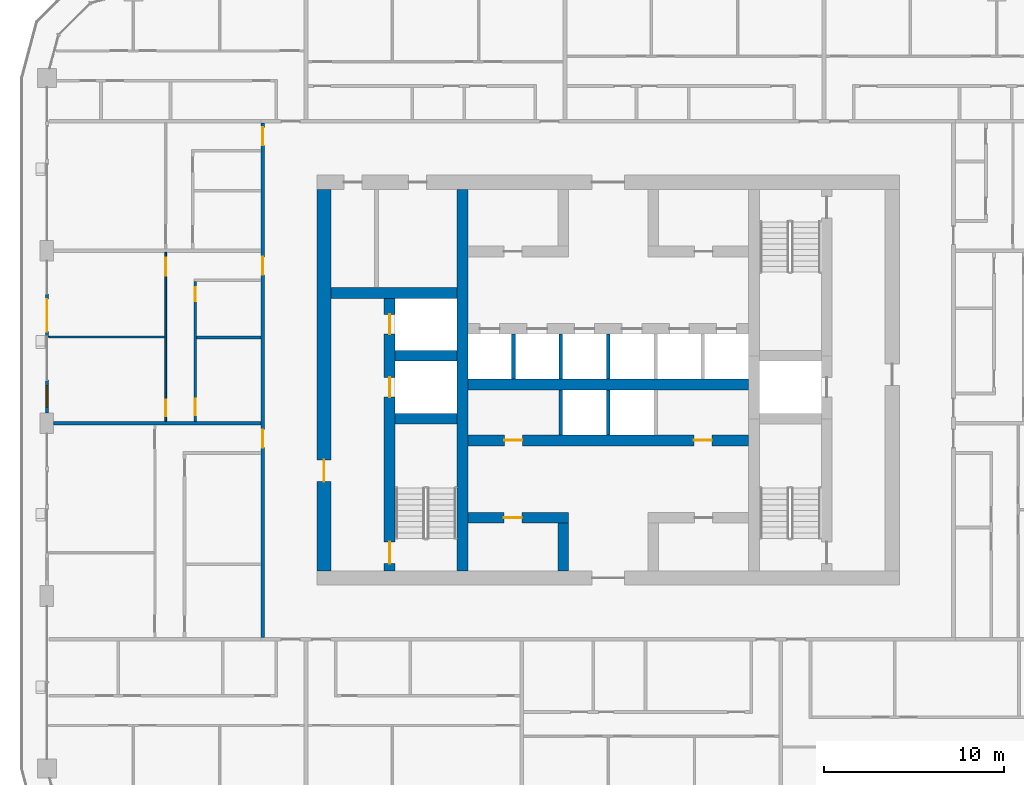
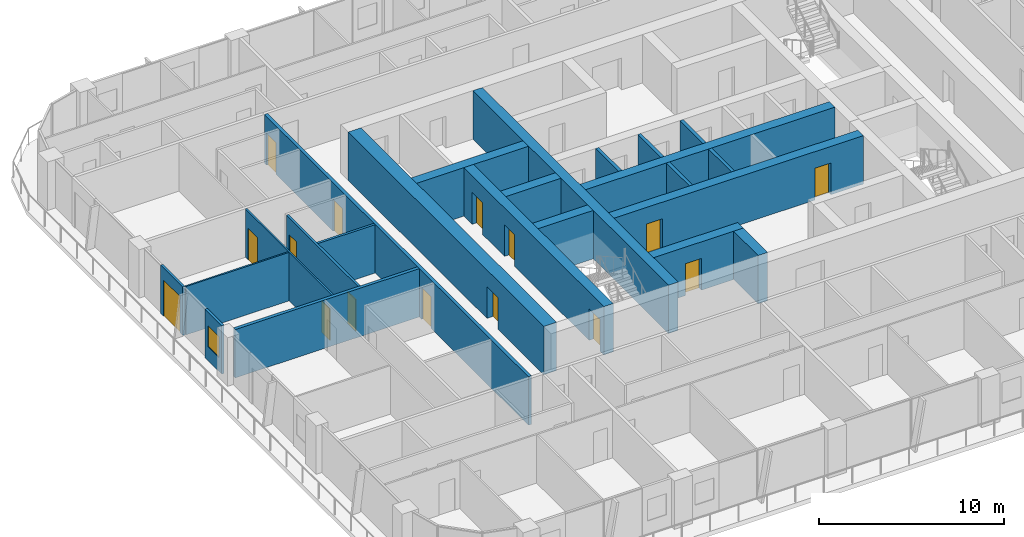
# One storey, part 10 of 22: 23 walls, 15 doors, 1 window, 16 openings.
"""IFC4 building model written with IfcOpenShell, lengths in metres."""

from ifc_helpers import new_model, si_unit, direction, frame, frame_2d, origin, place, context, subcontext, project, spatial, rectangle, extrude, material, layer, layer_set, type_object, element, fill, save


model = new_model("IFC4")

# Units and contexts
model_context = context("Model", 3, precision=1e-05, world=origin(), true_north=direction((0.0, 1.0)))
body_context = subcontext(model_context, "Body", "Model", "MODEL_VIEW")
ifc_project = project(units=[si_unit("LENGTHUNIT", "METRE"), si_unit("AREAUNIT", "SQUARE_METRE"), si_unit("VOLUMEUNIT", "CUBIC_METRE"), si_unit("PLANEANGLEUNIT", "RADIAN"), si_unit("MASSUNIT", "GRAM", prefix="KILO")], contexts=[model_context])

# Site, building, storey
site_placement = place(None, origin())
site = spatial("IfcSite", under=ifc_project, at=site_placement, CompositionType="ELEMENT")
building_placement = place(site_placement, origin())
building = spatial("IfcBuilding", under=site, at=building_placement, Name="Madar Terraces", CompositionType="ELEMENT")
storey_placement = place(building_placement, frame((0.0, 0.0, 152.5)))
storey = spatial("IfcBuildingStorey", under=building, at=storey_placement, Name="L39", CompositionType="ELEMENT", Elevation=152.5)

# Wall, openings, doors
ifc_material_1 = material(Name="Concrete C70/85", Category="concrete")
ifc_layer_1 = layer(ifc_material_1, 0.60009765625)
ifc_layer_set_1 = layer_set([ifc_layer_1], Name="Concrete C70/85 (CIW3 RC wall 600)")
wall_type_1 = type_object("IfcWallType", Name="CIW3 RC wall 600", PredefinedType="SHEAR", material=ifc_layer_set_1)
wall_1_placement = place(storey_placement, frame((19.050048828125, 15.800048828125, 0.0), z_axis=(0.0, 0.0, 1.0), x_axis=(0.0, 1.0, 0.0)))
wall_1 = element("IfcWall", 1, at=wall_1_placement, inside=storey, type_object=wall_type_1, Name="CORE SHAFT WALL", PredefinedType="SHEAR", context=body_context, shape_type="SweptSolid", body=[
    extrude(rectangle(XDim=15.14990234375, YDim=0.60009765625, at=frame_2d((7.574951171875, 0.0))), origin(), (0.0, 0.0, 1.0), 3.199951171875),
])
opening_1_placement = place(wall_1_placement, frame((9.64990234375, 0.0, 0.0)))
opening_1 = element("IfcOpeningElement", 2, at=opening_1_placement, cuts=wall_1, Name="Opening LD", PredefinedType="OPENING", context=body_context, shape_type="SweptSolid", body=[
    extrude(rectangle(XDim=1.10009765625, YDim=2.10009765625, at=frame_2d((0.550048828125, 1.050048828125))), frame((0.0, 0.31005859375, 0.0), z_axis=(0.0, -1.0, 0.0), x_axis=(1.0, 0.0, 0.0)), (0.0, 0.0, 1.0), 0.6201171875),
])
opening_2_placement = place(wall_1_placement, frame((13.14990234375, 0.0, 0.0)))
opening_2 = element("IfcOpeningElement", 3, at=opening_2_placement, cuts=wall_1, Name="Opening LD", PredefinedType="OPENING", context=body_context, shape_type="SweptSolid", body=[
    extrude(rectangle(XDim=1.10009765625, YDim=2.10009765625, at=frame_2d((0.550048828125, 1.050048828125))), frame((0.0, 0.31005859375, 0.0), z_axis=(0.0, -1.0, 0.0), x_axis=(1.0, 0.0, 0.0)), (0.0, 0.0, 1.0), 0.6201171875),
])
opening_3_placement = place(wall_1_placement, frame((0.39990234375, 0.0, 0.0)))
opening_3 = element("IfcOpeningElement", 4, at=opening_3_placement, cuts=wall_1, Name="Opening SD1", PredefinedType="OPENING", context=body_context, shape_type="SweptSolid", body=[
    extrude(rectangle(XDim=1.199951171875, YDim=2.10009765625, at=frame_2d((0.60009765625, 1.050048828125))), frame((0.0, 0.31005859375, 0.0), z_axis=(0.0, -1.0, 0.0), x_axis=(1.0, 0.0, 0.0)), (0.0, 0.0, 1.0), 0.6201171875),
])
ifc_material_2 = material(Name="Stainless steel panel", Category="steel")
door_type_1 = type_object("IfcDoorType", Name="Lift landing door 1100 x 2100", OperationType="DOUBLE_DOOR_SLIDING", PredefinedType="DOOR", material=ifc_material_2)
door_1_placement = place(opening_1_placement, origin())
door_1 = element("IfcDoor", 5, at=door_1_placement, inside=storey, type_object=door_type_1, Name="LIFT LANDING DOOR", OperationType="DOUBLE_DOOR_SLIDING", OverallHeight=2.10009765625, OverallWidth=1.10009765625, PredefinedType="DOOR", context=body_context, shape_type="SweptSolid", body=[
    extrude(rectangle(XDim=1.10009765625, YDim=2.10009765625, at=frame_2d((0.550048828125, 1.050048828125))), frame((0.0, 0.02490234375, 0.0), z_axis=(0.0, -1.0, 0.0), x_axis=(1.0, 0.0, 0.0)), (0.0, 0.0, 1.0), 0.050048828125),
])
fill(opening_1, door_1)
door_2_placement = place(opening_2_placement, origin())
door_2 = element("IfcDoor", 6, at=door_2_placement, inside=storey, type_object=door_type_1, Name="LIFT LANDING DOOR", OperationType="DOUBLE_DOOR_SLIDING", OverallHeight=2.10009765625, OverallWidth=1.10009765625, PredefinedType="DOOR", context=body_context, shape_type="SweptSolid", body=[
    extrude(rectangle(XDim=1.10009765625, YDim=2.10009765625, at=frame_2d((0.550048828125, 1.050048828125))), frame((0.0, 0.02490234375, 0.0), z_axis=(0.0, -1.0, 0.0), x_axis=(1.0, 0.0, 0.0)), (0.0, 0.0, 1.0), 0.050048828125),
])
fill(opening_2, door_2)
ifc_material_3 = material(Name="Steel door leaf", Category="steel")
door_type_2 = type_object("IfcDoorType", Name="Stair door 1200 x 2100", OperationType="NOTDEFINED", PredefinedType="DOOR", material=ifc_material_3)
door_3_placement = place(opening_3_placement, frame((1.199951171875, 0.0, 0.0), z_axis=(0.0, 0.0, 1.0), x_axis=(-1.0, 0.0, 0.0)))
door_3 = element("IfcDoor", 7, at=door_3_placement, inside=storey, type_object=door_type_2, Name="STAIR DOOR", OperationType="SINGLE_SWING_LEFT", OverallHeight=2.10009765625, OverallWidth=1.199951171875, PredefinedType="DOOR", context=body_context, shape_type="SweptSolid", body=[
    extrude(rectangle(XDim=1.199951171875, YDim=2.10009765625, at=frame_2d((0.60009765625, 1.050048828125))), frame((0.0, 0.02490234375, 0.0), z_axis=(0.0, -1.0, 0.0), x_axis=(1.0, 0.0, 0.0)), (0.0, 0.0, 1.0), 0.050048828125),
])
fill(opening_3, door_3)

# Walls
wall_2_placement = place(storey_placement, frame((23.10009765625, 15.800048828125, 0.0), z_axis=(0.0, 0.0, 1.0), x_axis=(0.0, 1.0, 0.0)))
element("IfcWall", 8, at=wall_2_placement, inside=storey, type_object=wall_type_1, Name="CORE SHAFT WALL", PredefinedType="SHEAR", context=body_context, shape_type="SweptSolid", body=[
    extrude(rectangle(XDim=21.199951171875, YDim=0.60009765625, at=frame_2d((10.60009765625, 0.0))), origin(), (0.0, 0.0, 1.0), 3.199951171875),
])
for number, where, z_axis, x_axis, name in (
    (9, (19.35009765625, 24.25, 0.0), (0.0, 0.0, 1.0), (1.0, 0.0, 0.0), "CORE SHAFT WALL"),
    (10, (19.35009765625, 27.75, 0.0), (0.0, 0.0, 1.0), (1.0, 0.0, 0.0), "CORE SHAFT WALL"),
):
    element("IfcWall", number, at=place(storey_placement, frame(where, z_axis=z_axis, x_axis=x_axis)), inside=storey, type_object=wall_type_1, Name=name, PredefinedType="SHEAR", context=body_context, shape_type="SweptSolid", body=[
        extrude(rectangle(XDim=3.449951171875, YDim=0.60009765625, at=frame_2d((1.72509765625, 0.0))), origin(), (0.0, 0.0, 1.0), 3.199951171875),
    ])
wall_3_placement = place(storey_placement, frame((15.800048828125, 31.25, 0.0), z_axis=(0.0, 0.0, 1.0), x_axis=(1.0, 0.0, 0.0)))
element("IfcWall", 11, at=wall_3_placement, inside=storey, type_object=wall_type_1, Name="CORE SHAFT WALL", PredefinedType="SHEAR", context=body_context, shape_type="SweptSolid", body=[
    extrude(rectangle(XDim=7.0, YDim=0.60009765625, at=frame_2d((3.5, 0.0))), origin(), (0.0, 0.0, 1.0), 3.199951171875),
])

# Wall, opening, door
wall_4_placement = place(storey_placement, frame((23.39990234375, 18.75, 0.0), z_axis=(0.0, 0.0, 1.0), x_axis=(1.0, 0.0, 0.0)))
wall_4 = element("IfcWall", 12, at=wall_4_placement, inside=storey, type_object=wall_type_1, Name="CORE SHAFT WALL", PredefinedType="SHEAR", context=body_context, shape_type="SweptSolid", body=[
    extrude(rectangle(XDim=5.60009765625, YDim=0.60009765625, at=frame_2d((2.800048828125, 0.0))), origin(), (0.0, 0.0, 1.0), 3.199951171875),
])
opening_4_placement = place(wall_4_placement, frame((2.0, 0.0, 0.0)))
opening_4 = element("IfcOpeningElement", 13, at=opening_4_placement, cuts=wall_4, Name="Opening KD2", PredefinedType="OPENING", context=body_context, shape_type="SweptSolid", body=[
    extrude(rectangle(XDim=1.0, YDim=2.10009765625, at=frame_2d((0.5, 1.050048828125))), frame((0.0, 0.31005859375, 0.0), z_axis=(0.0, -1.0, 0.0), x_axis=(1.0, 0.0, 0.0)), (0.0, 0.0, 1.0), 0.6201171875),
])
ifc_material_4 = material(Name="Steel door leaf", Category="steel")
door_type_3 = type_object("IfcDoorType", Name="Service room door 1000 x 2100", OperationType="NOTDEFINED", PredefinedType="DOOR", material=ifc_material_4)
door_4_placement = place(opening_4_placement, origin())
door_4 = element("IfcDoor", 14, at=door_4_placement, inside=storey, type_object=door_type_3, Name="SERVICE ROOM DOOR", OperationType="SINGLE_SWING_RIGHT", OverallHeight=2.10009765625, OverallWidth=1.0, PredefinedType="DOOR", context=body_context, shape_type="SweptSolid", body=[
    extrude(rectangle(XDim=1.0, YDim=2.10009765625, at=frame_2d((0.5, 1.050048828125))), frame((0.0, 0.02490234375, 0.0), z_axis=(0.0, -1.0, 0.0), x_axis=(1.0, 0.0, 0.0)), (0.0, 0.0, 1.0), 0.050048828125),
])
fill(opening_4, door_4)

# Wall, openings, doors
wall_5_placement = place(storey_placement, frame((23.39990234375, 23.050048828125, 0.0), z_axis=(0.0, 0.0, 1.0), x_axis=(1.0, 0.0, 0.0)))
wall_5 = element("IfcWall", 15, at=wall_5_placement, inside=storey, type_object=wall_type_1, Name="CORE SHAFT WALL", PredefinedType="SHEAR", context=body_context, shape_type="SweptSolid", body=[
    extrude(rectangle(XDim=15.60009765625, YDim=0.60009765625, at=frame_2d((7.800048828125, 0.0))), origin(), (0.0, 0.0, 1.0), 3.199951171875),
])
opening_5_placement = place(wall_5_placement, frame((2.033447265625, 0.0, 0.0)))
opening_5 = element("IfcOpeningElement", 16, at=opening_5_placement, cuts=wall_5, Name="Opening KD2", PredefinedType="OPENING", context=body_context, shape_type="SweptSolid", body=[
    extrude(rectangle(XDim=1.0, YDim=2.10009765625, at=frame_2d((0.5, 1.050048828125))), frame((0.0, 0.31005859375, 0.0), z_axis=(0.0, -1.0, 0.0), x_axis=(1.0, 0.0, 0.0)), (0.0, 0.0, 1.0), 0.6201171875),
])
opening_6_placement = place(wall_5_placement, frame((12.566650390625, 0.0, 0.0)))
opening_6 = element("IfcOpeningElement", 17, at=opening_6_placement, cuts=wall_5, Name="Opening KD2", PredefinedType="OPENING", context=body_context, shape_type="SweptSolid", body=[
    extrude(rectangle(XDim=1.0, YDim=2.10009765625, at=frame_2d((0.5, 1.050048828125))), frame((0.0, 0.31005859375, 0.0), z_axis=(0.0, -1.0, 0.0), x_axis=(1.0, 0.0, 0.0)), (0.0, 0.0, 1.0), 0.6201171875),
])
door_5_placement = place(opening_5_placement, frame((1.0, 0.0, 0.0), z_axis=(0.0, 0.0, 1.0), x_axis=(-1.0, 0.0, 0.0)))
door_5 = element("IfcDoor", 18, at=door_5_placement, inside=storey, type_object=door_type_3, Name="SERVICE ROOM DOOR", OperationType="SINGLE_SWING_RIGHT", OverallHeight=2.10009765625, OverallWidth=1.0, PredefinedType="DOOR", context=body_context, shape_type="SweptSolid", body=[
    extrude(rectangle(XDim=1.0, YDim=2.10009765625, at=frame_2d((0.5, 1.050048828125))), frame((0.0, 0.02490234375, 0.0), z_axis=(0.0, -1.0, 0.0), x_axis=(1.0, 0.0, 0.0)), (0.0, 0.0, 1.0), 0.050048828125),
])
fill(opening_5, door_5)
door_6_placement = place(opening_6_placement, frame((1.0, 0.0, 0.0), z_axis=(0.0, 0.0, 1.0), x_axis=(-1.0, 0.0, 0.0)))
door_6 = element("IfcDoor", 19, at=door_6_placement, inside=storey, type_object=door_type_3, Name="SERVICE ROOM DOOR", OperationType="SINGLE_SWING_LEFT", OverallHeight=2.10009765625, OverallWidth=1.0, PredefinedType="DOOR", context=body_context, shape_type="SweptSolid", body=[
    extrude(rectangle(XDim=1.0, YDim=2.10009765625, at=frame_2d((0.5, 1.050048828125))), frame((0.0, 0.02490234375, 0.0), z_axis=(0.0, -1.0, 0.0), x_axis=(1.0, 0.0, 0.0)), (0.0, 0.0, 1.0), 0.050048828125),
])
fill(opening_6, door_6)

# Walls
wall_6_placement = place(storey_placement, frame((23.39990234375, 26.14990234375, 0.0), z_axis=(0.0, 0.0, 1.0), x_axis=(1.0, 0.0, 0.0)))
element("IfcWall", 20, at=wall_6_placement, inside=storey, type_object=wall_type_1, Name="CORE SHAFT WALL", PredefinedType="SHEAR", context=body_context, shape_type="SweptSolid", body=[
    extrude(rectangle(XDim=15.60009765625, YDim=0.60009765625, at=frame_2d((7.800048828125, 0.0))), origin(), (0.0, 0.0, 1.0), 3.199951171875),
])
wall_7_placement = place(storey_placement, frame((28.699951171875, 15.800048828125, 0.0), z_axis=(0.0, 0.0, 1.0), x_axis=(0.0, 1.0, 0.0)))
element("IfcWall", 21, at=wall_7_placement, inside=storey, type_object=wall_type_1, Name="CORE SHAFT WALL", PredefinedType="SHEAR", context=body_context, shape_type="SweptSolid", body=[
    extrude(rectangle(XDim=2.64990234375, YDim=0.60009765625, at=frame_2d((1.324951171875, 0.0))), origin(), (0.0, 0.0, 1.0), 3.199951171875),
])

# Wall, opening, door
ifc_material_5 = material(Name="Concrete C70/85", Category="concrete")
ifc_layer_2 = layer(ifc_material_5, 0.800048828125)
ifc_layer_set_2 = layer_set([ifc_layer_2], Name="Concrete C70/85 (CRW3 RC wall 800)")
wall_type_2 = type_object("IfcWallType", Name="CRW3 RC wall 800", PredefinedType="SHEAR", material=ifc_layer_set_2)
wall_8_placement = place(storey_placement, frame((15.39990234375, 15.800048828125, 0.0), z_axis=(0.0, 0.0, 1.0), x_axis=(0.0, 1.0, 0.0)))
wall_8 = element("IfcWall", 22, at=wall_8_placement, inside=storey, type_object=wall_type_2, Name="CORE OUTER WALL", PredefinedType="SHEAR", context=body_context, shape_type="SweptSolid", body=[
    extrude(rectangle(XDim=21.199951171875, YDim=0.800048828125, at=frame_2d((10.60009765625, 0.0))), origin(), (0.0, 0.0, 1.0), 3.199951171875),
])
opening_7_placement = place(wall_8_placement, frame((4.9599609375, 0.0, 0.0)))
opening_7 = element("IfcOpeningElement", 23, at=opening_7_placement, cuts=wall_8, Name="Opening SD1", PredefinedType="OPENING", context=body_context, shape_type="SweptSolid", body=[
    extrude(rectangle(XDim=1.199951171875, YDim=2.10009765625, at=frame_2d((0.60009765625, 1.050048828125))), frame((0.0, 0.409912109375, 0.0), z_axis=(0.0, -1.0, 0.0), x_axis=(1.0, 0.0, 0.0)), (0.0, 0.0, 1.0), 0.820068359375),
])
door_7_placement = place(opening_7_placement, frame((1.199951171875, 0.0, 0.0), z_axis=(0.0, 0.0, 1.0), x_axis=(-1.0, 0.0, 0.0)))
door_7 = element("IfcDoor", 24, at=door_7_placement, inside=storey, type_object=door_type_2, Name="STAIR DOOR", OperationType="SINGLE_SWING_RIGHT", OverallHeight=2.10009765625, OverallWidth=1.199951171875, PredefinedType="DOOR", context=body_context, shape_type="SweptSolid", body=[
    extrude(rectangle(XDim=1.199951171875, YDim=2.10009765625, at=frame_2d((0.60009765625, 1.050048828125))), frame((0.0, 0.02490234375, 0.0), z_axis=(0.0, -1.0, 0.0), x_axis=(1.0, 0.0, 0.0)), (0.0, 0.0, 1.0), 0.050048828125),
])
fill(opening_7, door_7)

# Walls
ifc_material_6 = material(Name="Concrete C40/50", Category="concrete")
ifc_layer_3 = layer(ifc_material_6, 0.199951171875)
ifc_layer_set_3 = layer_set([ifc_layer_3], Name="Core shaft dividing wall 200 C40/50")
wall_type_3 = type_object("IfcWallType", Name="Core shaft dividing wall 200 C40/50", PredefinedType="SOLIDWALL", material=ifc_layer_set_3)
for number, where, z_axis, x_axis, name in (
    (25, (25.933349609375, 26.449951171875, 0.0), (0.0, 0.0, 1.0), (0.0, 1.0, 0.0), "SHAFT DIVIDING WALL"),
    (26, (28.566650390625, 23.35009765625, 0.0), (0.0, 0.0, 1.0), (0.0, 1.0, 0.0), "SHAFT DIVIDING WALL"),
    (27, (28.566650390625, 26.449951171875, 0.0), (0.0, 0.0, 1.0), (0.0, 1.0, 0.0), "SHAFT DIVIDING WALL"),
    (28, (31.199951171875, 23.35009765625, 0.0), (0.0, 0.0, 1.0), (0.0, 1.0, 0.0), "SHAFT DIVIDING WALL"),
    (29, (31.199951171875, 26.449951171875, 0.0), (0.0, 0.0, 1.0), (0.0, 1.0, 0.0), "SHAFT DIVIDING WALL"),
):
    element("IfcWall", number, at=place(storey_placement, frame(where, z_axis=z_axis, x_axis=x_axis)), inside=storey, type_object=wall_type_3, Name=name, PredefinedType="SOLIDWALL", context=body_context, shape_type="SweptSolid", body=[
        extrude(rectangle(XDim=2.5, YDim=0.199951171875, at=frame_2d((1.25, 0.0))), origin(), (0.0, 0.0, 1.0), 3.199951171875),
    ])

# Wall, opening, door
ifc_material_7 = material(Name="Aluminium composite panel, black, over insulated backing", Category="aluminium")
ifc_layer_4 = layer(ifc_material_7, 0.14990234375)
ifc_layer_set_4 = layer_set([ifc_layer_4], Name="Facade bay panel 150")
wall_type_4 = type_object("IfcWallType", Name="Facade bay panel 150", PredefinedType="SOLIDWALL", material=ifc_layer_set_4)
wall_9_placement = place(storey_placement, frame((0.0, 31.199951171875, 0.0), z_axis=(0.0, 0.0, 1.0), x_axis=(0.0, -1.0, 0.0)))
wall_9 = element("IfcWall", 30, at=wall_9_placement, inside=storey, type_object=wall_type_4, Name="Facade bay panel", PredefinedType="SOLIDWALL", context=body_context, shape_type="SweptSolid", body=[
    extrude(rectangle(XDim=2.39990234375, YDim=0.14990234375, at=frame_2d((1.199951171875, 0.0))), origin(), (0.0, 0.0, 1.0), 3.199951171875),
])
opening_8_placement = place(wall_9_placement, frame((0.300048828125, 0.0, 0.0)))
opening_8 = element("IfcOpeningElement", 31, at=opening_8_placement, cuts=wall_9, Name="Opening ED1", PredefinedType="OPENING", context=body_context, shape_type="SweptSolid", body=[
    extrude(rectangle(XDim=1.800048828125, YDim=2.39990234375, at=frame_2d((0.89990234375, 1.199951171875))), frame((0.0, 0.0849609375, 0.0), z_axis=(0.0, -1.0, 0.0), x_axis=(1.0, 0.0, 0.0)), (0.0, 0.0, 1.0), 0.169921875),
])
ifc_material_8 = material(Name="Glass, clear, with black aluminium frame", Category="aluminium")
door_type_4 = type_object("IfcDoorType", Name="Balcony and terrace sliding door 1800 x 2400", OperationType="SLIDING_TO_LEFT", PredefinedType="DOOR", material=ifc_material_8)
door_8_placement = place(opening_8_placement, origin())
door_8 = element("IfcDoor", 32, at=door_8_placement, inside=storey, type_object=door_type_4, Name="Balcony door", OperationType="SLIDING_TO_RIGHT", OverallHeight=2.39990234375, OverallWidth=1.800048828125, PredefinedType="DOOR", context=body_context, shape_type="SweptSolid", body=[
    extrude(rectangle(XDim=1.800048828125, YDim=2.39990234375, at=frame_2d((0.89990234375, 1.199951171875))), frame((0.0, 0.02490234375, 0.0), z_axis=(0.0, -1.0, 0.0), x_axis=(1.0, 0.0, 0.0)), (0.0, 0.0, 1.0), 0.050048828125),
])
fill(opening_8, door_8)

# Wall, opening, window
wall_10_placement = place(storey_placement, frame((0.0, 26.39990234375, 0.0), z_axis=(0.0, 0.0, 1.0), x_axis=(0.0, -1.0, 0.0)))
wall_10 = element("IfcWall", 33, at=wall_10_placement, inside=storey, type_object=wall_type_4, Name="Facade bay panel", PredefinedType="SOLIDWALL", context=body_context, shape_type="SweptSolid", body=[
    extrude(rectangle(XDim=1.824951171875, YDim=0.14990234375, at=frame_2d((0.91259765625, 0.0))), origin(), (0.0, 0.0, 1.0), 3.199951171875),
])
opening_9_placement = place(wall_10_placement, frame((0.3125, 0.0, 0.89990234375)))
opening_9 = element("IfcOpeningElement", 34, at=opening_9_placement, cuts=wall_10, Name="Opening W1", PredefinedType="OPENING", context=body_context, shape_type="SweptSolid", body=[
    extrude(rectangle(XDim=1.199951171875, YDim=1.39990234375, at=frame_2d((0.60009765625, 0.699951171875))), frame((0.0, 0.0849609375, 0.0), z_axis=(0.0, -1.0, 0.0), x_axis=(1.0, 0.0, 0.0)), (0.0, 0.0, 1.0), 0.169921875),
])
ifc_material_9 = material(Name="Glass, clear, with black aluminium frame", Category="aluminium")
window_type = type_object("IfcWindowType", Name="Vent window 1200 x 1400", PartitioningType="SINGLE_PANEL", PredefinedType="WINDOW", material=ifc_material_9)
window_placement = place(opening_9_placement, origin())
window = element("IfcWindow", 35, at=window_placement, inside=storey, type_object=window_type, Name="Operable vent window", OverallHeight=1.39990234375, OverallWidth=1.199951171875, PartitioningType="SINGLE_PANEL", PredefinedType="WINDOW", context=body_context, shape_type="SweptSolid", body=[
    extrude(rectangle(XDim=1.199951171875, YDim=1.39990234375, at=frame_2d((0.60009765625, 0.699951171875))), frame((0.0, 0.030029296875, 0.0), z_axis=(0.0, -1.0, 0.0), x_axis=(1.0, 0.0, 0.0)), (0.0, 0.0, 1.0), 0.06005859375),
])
fill(opening_9, window)

# Wall
ifc_material_10 = material(Name="Gypsum board on steel studs", Category="steel")
ifc_layer_5 = layer(ifc_material_10, 0.10009765625)
ifc_layer_set_5 = layer_set([ifc_layer_5], Name="Flat partition 100")
wall_type_5 = type_object("IfcWallType", Name="Flat partition 100", PredefinedType="PARTITIONING", material=ifc_layer_set_5)
wall_11_placement = place(storey_placement, frame((6.550048828125, 28.800048828125, 0.0), z_axis=(0.0, 0.0, 1.0), x_axis=(-1.0, 0.0, 0.0)))
element("IfcWall", 36, at=wall_11_placement, inside=storey, type_object=wall_type_5, Name="Flat partition 100", PredefinedType="PARTITIONING", context=body_context, shape_type="SweptSolid", body=[
    extrude(rectangle(XDim=6.449951171875, YDim=0.10009765625, at=frame_2d((3.22509765625, 0.0))), origin(), (0.0, 0.0, 1.0), 3.199951171875),
])

# Wall, openings, doors
wall_12_placement = place(storey_placement, frame((6.60009765625, 24.10009765625, 0.0), z_axis=(0.0, 0.0, 1.0), x_axis=(0.0, 1.0, 0.0)))
wall_12 = element("IfcWall", 37, at=wall_12_placement, inside=storey, type_object=wall_type_5, Name="Flat partition 100", PredefinedType="PARTITIONING", context=body_context, shape_type="SweptSolid", body=[
    extrude(rectangle(XDim=9.39990234375, YDim=0.10009765625, at=frame_2d((4.699951171875, 0.0))), origin(), (0.0, 0.0, 1.0), 3.199951171875),
])
opening_10_placement = place(wall_12_placement, frame((8.10009765625, 0.0, 0.0)))
opening_10 = element("IfcOpeningElement", 38, at=opening_10_placement, cuts=wall_12, Name="Opening D3", PredefinedType="OPENING", context=body_context, shape_type="SweptSolid", body=[
    extrude(rectangle(XDim=1.0, YDim=2.10009765625, at=frame_2d((0.5, 1.050048828125))), frame((0.0, 0.06005859375, 0.0), z_axis=(0.0, -1.0, 0.0), x_axis=(1.0, 0.0, 0.0)), (0.0, 0.0, 1.0), 0.1201171875),
])
opening_11_placement = place(wall_12_placement, frame((0.300048828125, 0.0, 0.0)))
opening_11 = element("IfcOpeningElement", 39, at=opening_11_placement, cuts=wall_12, Name="Opening D2", PredefinedType="OPENING", context=body_context, shape_type="SweptSolid", body=[
    extrude(rectangle(XDim=0.89990234375, YDim=2.10009765625, at=frame_2d((0.449951171875, 1.050048828125))), frame((0.0, 0.06005859375, 0.0), z_axis=(0.0, -1.0, 0.0), x_axis=(1.0, 0.0, 0.0)), (0.0, 0.0, 1.0), 0.1201171875),
])
ifc_material_11 = material(Name="Timber door leaf", Category="wood")
door_type_5 = type_object("IfcDoorType", Name="Flat living room door 1000", OperationType="NOTDEFINED", PredefinedType="DOOR", material=ifc_material_11)
door_9_placement = place(opening_10_placement, origin())
door_9 = element("IfcDoor", 40, at=door_9_placement, inside=storey, type_object=door_type_5, Name="Flat living room door 1000", OperationType="SINGLE_SWING_RIGHT", OverallHeight=2.10009765625, OverallWidth=1.0, PredefinedType="DOOR", context=body_context, shape_type="SweptSolid", body=[
    extrude(rectangle(XDim=1.0, YDim=2.10009765625, at=frame_2d((0.5, 1.050048828125))), frame((0.0, 0.02490234375, 0.0), z_axis=(0.0, -1.0, 0.0), x_axis=(1.0, 0.0, 0.0)), (0.0, 0.0, 1.0), 0.050048828125),
])
fill(opening_10, door_9)
ifc_material_12 = material(Name="Timber door leaf", Category="wood")
door_type_6 = type_object("IfcDoorType", Name="Flat room door 900", OperationType="NOTDEFINED", PredefinedType="DOOR", material=ifc_material_12)
door_10_placement = place(opening_11_placement, origin())
door_10 = element("IfcDoor", 41, at=door_10_placement, inside=storey, type_object=door_type_6, Name="Flat room door 900", OperationType="SINGLE_SWING_LEFT", OverallHeight=2.10009765625, OverallWidth=0.89990234375, PredefinedType="DOOR", context=body_context, shape_type="SweptSolid", body=[
    extrude(rectangle(XDim=0.89990234375, YDim=2.10009765625, at=frame_2d((0.449951171875, 1.050048828125))), frame((0.0, 0.02490234375, 0.0), z_axis=(0.0, -1.0, 0.0), x_axis=(1.0, 0.0, 0.0)), (0.0, 0.0, 1.0), 0.050048828125),
])
fill(opening_11, door_10)

ifc_material_13 = material(Name="Lightweight blockwork", Category="masonry")
ifc_layer_6 = layer(ifc_material_13, 0.199951171875)
ifc_layer_set_6 = layer_set([ifc_layer_6], Name="Flat party and entrance wall 200")
wall_type_6 = type_object("IfcWallType", Name="Flat party and entrance wall 200", PredefinedType="PARTITIONING", material=ifc_layer_set_6)
wall_13_placement = place(storey_placement, frame((12.0, 12.10009765625, 0.0), z_axis=(0.0, 0.0, 1.0), x_axis=(0.0, 1.0, 0.0)))
wall_13 = element("IfcWall", 42, at=wall_13_placement, inside=storey, type_object=wall_type_6, Name="Flat party and entrance wall 200", PredefinedType="PARTITIONING", context=body_context, shape_type="SweptSolid", body=[
    extrude(rectangle(XDim=28.599853515625, YDim=0.199951171875, at=frame_2d((14.2998046875, 0.0))), origin(), (0.0, 0.0, 1.0), 3.199951171875),
])
opening_12_placement = place(wall_13_placement, frame((27.35009765625, 0.0, 0.0)))
opening_12 = element("IfcOpeningElement", 43, at=opening_12_placement, cuts=wall_13, Name="Opening D1", PredefinedType="OPENING", context=body_context, shape_type="SweptSolid", body=[
    extrude(rectangle(XDim=1.0, YDim=2.10009765625, at=frame_2d((0.5, 1.050048828125))), frame((0.0, 0.10986328125, 0.0), z_axis=(0.0, -1.0, 0.0), x_axis=(1.0, 0.0, 0.0)), (0.0, 0.0, 1.0), 0.219970703125),
])
opening_13_placement = place(wall_13_placement, frame((20.14990234375, 0.0, 0.0)))
opening_13 = element("IfcOpeningElement", 44, at=opening_13_placement, cuts=wall_13, Name="Opening D1", PredefinedType="OPENING", context=body_context, shape_type="SweptSolid", body=[
    extrude(rectangle(XDim=1.0, YDim=2.10009765625, at=frame_2d((0.5, 1.050048828125))), frame((0.0, 0.10986328125, 0.0), z_axis=(0.0, -1.0, 0.0), x_axis=(1.0, 0.0, 0.0)), (0.0, 0.0, 1.0), 0.219970703125),
])
opening_14_placement = place(wall_13_placement, frame((10.550048828125, 0.0, 0.0)))
opening_14 = element("IfcOpeningElement", 45, at=opening_14_placement, cuts=wall_13, Name="Opening D1", PredefinedType="OPENING", context=body_context, shape_type="SweptSolid", body=[
    extrude(rectangle(XDim=1.0, YDim=2.10009765625, at=frame_2d((0.5, 1.050048828125))), frame((0.0, 0.10986328125, 0.0), z_axis=(0.0, -1.0, 0.0), x_axis=(1.0, 0.0, 0.0)), (0.0, 0.0, 1.0), 0.219970703125),
])
ifc_material_14 = material(Name="Timber fire door leaf", Category="wood")
door_type_7 = type_object("IfcDoorType", Name="Flat entrance door 1000 FD30S", OperationType="NOTDEFINED", PredefinedType="DOOR", material=ifc_material_14)
door_11_placement = place(opening_12_placement, origin())
door_11 = element("IfcDoor", 46, at=door_11_placement, inside=storey, type_object=door_type_7, Name="Flat entrance door 1000 FD30S", OperationType="SINGLE_SWING_RIGHT", OverallHeight=2.10009765625, OverallWidth=1.0, PredefinedType="DOOR", context=body_context, shape_type="SweptSolid", body=[
    extrude(rectangle(XDim=1.0, YDim=2.10009765625, at=frame_2d((0.5, 1.050048828125))), frame((0.0, 0.02490234375, 0.0), z_axis=(0.0, -1.0, 0.0), x_axis=(1.0, 0.0, 0.0)), (0.0, 0.0, 1.0), 0.050048828125),
])
fill(opening_12, door_11)
door_12_placement = place(opening_13_placement, origin())
door_12 = element("IfcDoor", 47, at=door_12_placement, inside=storey, type_object=door_type_7, Name="Flat entrance door 1000 FD30S", OperationType="SINGLE_SWING_RIGHT", OverallHeight=2.10009765625, OverallWidth=1.0, PredefinedType="DOOR", context=body_context, shape_type="SweptSolid", body=[
    extrude(rectangle(XDim=1.0, YDim=2.10009765625, at=frame_2d((0.5, 1.050048828125))), frame((0.0, 0.02490234375, 0.0), z_axis=(0.0, -1.0, 0.0), x_axis=(1.0, 0.0, 0.0)), (0.0, 0.0, 1.0), 0.050048828125),
])
fill(opening_13, door_12)
door_13_placement = place(opening_14_placement, origin())
door_13 = element("IfcDoor", 48, at=door_13_placement, inside=storey, type_object=door_type_7, Name="Flat entrance door 1000 FD30S", OperationType="SINGLE_SWING_RIGHT", OverallHeight=2.10009765625, OverallWidth=1.0, PredefinedType="DOOR", context=body_context, shape_type="SweptSolid", body=[
    extrude(rectangle(XDim=1.0, YDim=2.10009765625, at=frame_2d((0.5, 1.050048828125))), frame((0.0, 0.02490234375, 0.0), z_axis=(0.0, -1.0, 0.0), x_axis=(1.0, 0.0, 0.0)), (0.0, 0.0, 1.0), 0.050048828125),
])
fill(opening_14, door_13)

# Walls
wall_14_placement = place(storey_placement, frame((0.375, 24.0, 0.0), z_axis=(0.0, 0.0, 1.0), x_axis=(1.0, 0.0, 0.0)))
element("IfcWall", 49, at=wall_14_placement, inside=storey, type_object=wall_type_6, Name="Flat party and entrance wall 200", PredefinedType="PARTITIONING", context=body_context, shape_type="SweptSolid", body=[
    extrude(rectangle(XDim=11.52490234375, YDim=0.199951171875, at=frame_2d((5.762451171875, 0.0))), origin(), (0.0, 0.0, 1.0), 3.199951171875),
])
ifc_material_15 = material(Name="Lightweight blockwork", Category="masonry")
ifc_layer_7 = layer(ifc_material_15, 0.14990234375)
ifc_layer_set_7 = layer_set([ifc_layer_7], Name="Flat wet-room partition 150")
wall_type_7 = type_object("IfcWallType", Name="Flat wet-room partition 150", PredefinedType="PARTITIONING", material=ifc_layer_set_7)
wall_15_placement = place(storey_placement, frame((11.89990234375, 28.764892578125, 0.0), z_axis=(0.0, 0.0, 1.0), x_axis=(-1.0, 0.0, 0.0)))
element("IfcWall", 50, at=wall_15_placement, inside=storey, type_object=wall_type_7, Name="Flat wet-room partition 150", PredefinedType="PARTITIONING", context=body_context, shape_type="SweptSolid", body=[
    extrude(rectangle(XDim=3.574951171875, YDim=0.14990234375, at=frame_2d((1.78759765625, 0.0))), origin(), (0.0, 0.0, 1.0), 3.199951171875),
])

# Wall, openings, doors
wall_16_placement = place(storey_placement, frame((8.25, 31.875, 0.0), z_axis=(0.0, 0.0, 1.0), x_axis=(0.0, -1.0, 0.0)))
wall_16 = element("IfcWall", 51, at=wall_16_placement, inside=storey, type_object=wall_type_7, Name="Flat wet-room partition 150", PredefinedType="PARTITIONING", context=body_context, shape_type="SweptSolid", body=[
    extrude(rectangle(XDim=7.77490234375, YDim=0.14990234375, at=frame_2d((3.887451171875, 0.0))), origin(), (0.0, 0.0, 1.0), 3.199951171875),
])
opening_15_placement = place(wall_16_placement, frame((0.300048828125, 0.0, 0.0)))
opening_15 = element("IfcOpeningElement", 52, at=opening_15_placement, cuts=wall_16, Name="Opening D4", PredefinedType="OPENING", context=body_context, shape_type="SweptSolid", body=[
    extrude(rectangle(XDim=0.800048828125, YDim=2.10009765625, at=frame_2d((0.39990234375, 1.050048828125))), frame((0.0, 0.0849609375, 0.0), z_axis=(0.0, -1.0, 0.0), x_axis=(1.0, 0.0, 0.0)), (0.0, 0.0, 1.0), 0.169921875),
])
opening_16_placement = place(wall_16_placement, frame((6.52490234375, 0.0, 0.0)))
opening_16 = element("IfcOpeningElement", 53, at=opening_16_placement, cuts=wall_16, Name="Opening D2", PredefinedType="OPENING", context=body_context, shape_type="SweptSolid", body=[
    extrude(rectangle(XDim=0.89990234375, YDim=2.10009765625, at=frame_2d((0.449951171875, 1.050048828125))), frame((0.0, 0.0849609375, 0.0), z_axis=(0.0, -1.0, 0.0), x_axis=(1.0, 0.0, 0.0)), (0.0, 0.0, 1.0), 0.169921875),
])
ifc_material_16 = material(Name="Timber door leaf", Category="wood")
door_type_8 = type_object("IfcDoorType", Name="Flat bathroom door 800", OperationType="NOTDEFINED", PredefinedType="DOOR", material=ifc_material_16)
door_14_placement = place(opening_15_placement, origin())
door_14 = element("IfcDoor", 54, at=door_14_placement, inside=storey, type_object=door_type_8, Name="Flat bathroom door 800", OperationType="SINGLE_SWING_LEFT", OverallHeight=2.10009765625, OverallWidth=0.800048828125, PredefinedType="DOOR", context=body_context, shape_type="SweptSolid", body=[
    extrude(rectangle(XDim=0.800048828125, YDim=2.10009765625, at=frame_2d((0.39990234375, 1.050048828125))), frame((0.0, 0.02490234375, 0.0), z_axis=(0.0, -1.0, 0.0), x_axis=(1.0, 0.0, 0.0)), (0.0, 0.0, 1.0), 0.050048828125),
])
fill(opening_15, door_14)
door_15_placement = place(opening_16_placement, origin())
door_15 = element("IfcDoor", 55, at=door_15_placement, inside=storey, type_object=door_type_6, Name="Flat room door 900", OperationType="SINGLE_SWING_RIGHT", OverallHeight=2.10009765625, OverallWidth=0.89990234375, PredefinedType="DOOR", context=body_context, shape_type="SweptSolid", body=[
    extrude(rectangle(XDim=0.89990234375, YDim=2.10009765625, at=frame_2d((0.449951171875, 1.050048828125))), frame((0.0, 0.02490234375, 0.0), z_axis=(0.0, -1.0, 0.0), x_axis=(1.0, 0.0, 0.0)), (0.0, 0.0, 1.0), 0.050048828125),
])
fill(opening_16, door_15)

save(model, "model.ifc")
